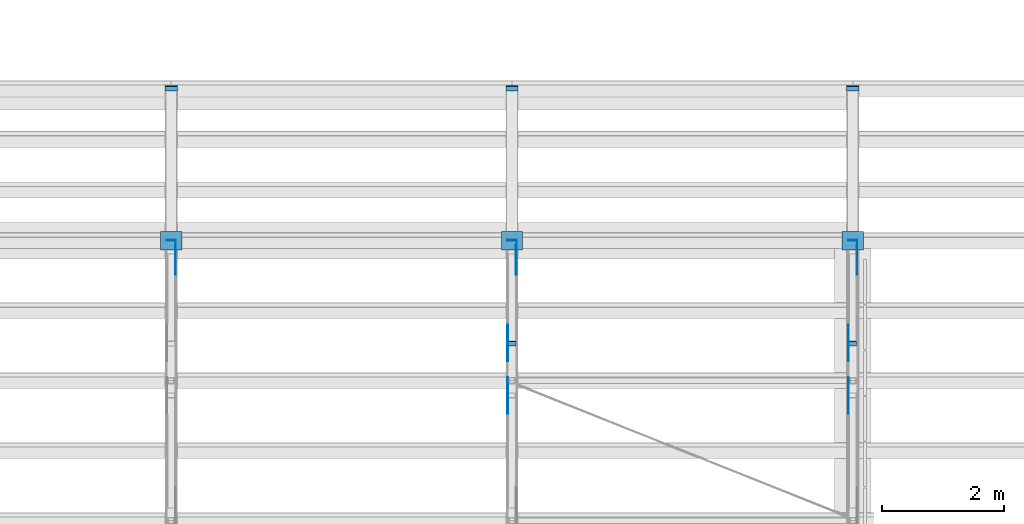
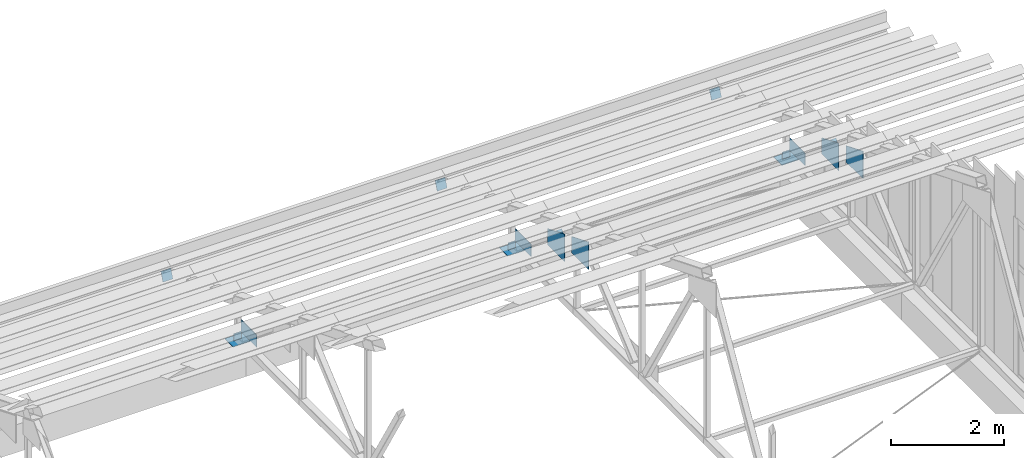
# One storey, part 63 of 71: 18 discrete accessories.
"""IFC4 building model written with IfcOpenShell, lengths in metres."""

from ifc_helpers import new_model, si_unit, direction, frame, origin, origin_2d, place, context, subcontext, project, spatial, polyline, rectangle, outline, extrude, element, save


model = new_model("IFC4")

# Units and contexts
model_context = context("Model", 3, precision=1e-05, world=origin(), true_north=direction((0.0, 1.0)))
body_context = subcontext(model_context, "Body", "Model", "MODEL_VIEW")
ifc_project = project(units=[si_unit("LENGTHUNIT", "METRE"), si_unit("AREAUNIT", "SQUARE_METRE"), si_unit("VOLUMEUNIT", "CUBIC_METRE"), si_unit("PLANEANGLEUNIT", "RADIAN"), si_unit("MASSUNIT", "GRAM", prefix="KILO")], contexts=[model_context])

# Site, building, storey
site_placement = place(None, origin())
site = spatial("IfcSite", under=ifc_project, at=site_placement, CompositionType="ELEMENT")
building_placement = place(site_placement, origin())
building = spatial("IfcBuilding", under=site, at=building_placement, Name="Wasatch Bagh Community Centre", CompositionType="ELEMENT")
storey_placement = place(building_placement, frame((0.0, 0.0, 12.60009765625)))
storey = spatial("IfcBuildingStorey", under=building, at=storey_placement, Name="L03", CompositionType="ELEMENT", Elevation=12.60009765625)

# Discrete accessories
discrete_accessory_1_placement = place(storey_placement, frame((134.60009765625, 68.300048828125, 0.490234375), z_axis=(0.0, 0.928476690885, -0.371390676354), x_axis=(-1.0, 0.0, 0.0)))
element("IfcDiscreteAccessory", 1, at=discrete_accessory_1_placement, inside=storey, Name="SH.SA5.TC14.EPB", PredefinedType="NOTDEFINED", context=body_context, shape_type="SweptSolid", body=[
    extrude(rectangle(XDim=0.203125, YDim=0.203125, at=origin_2d()), origin(), (0.0, 0.0, 1.0), 0.01171875),
])
discrete_accessory_2_placement = place(storey_placement, frame((134.60009765625, 65.800048828125, 0.68603515625), z_axis=(0.0, 1.0, 0.0), x_axis=(-1.0, 0.0, 0.0)))
element("IfcDiscreteAccessory", 2, at=discrete_accessory_2_placement, inside=storey, Name="SH.SA5.BC12.EPB", PredefinedType="NOTDEFINED", context=body_context, shape_type="SweptSolid", body=[
    extrude(rectangle(XDim=0.15234375, YDim=0.15234375, at=origin_2d()), origin(), (0.0, 0.0, 1.0), 0.011962890625),
])
discrete_accessory_3_placement = place(storey_placement, frame((140.199951171875, 68.300048828125, 0.490234375), z_axis=(0.0, 0.928476690885, -0.371390676354), x_axis=(-1.0, 0.0, 0.0)))
element("IfcDiscreteAccessory", 3, at=discrete_accessory_3_placement, inside=storey, Name="SH.SA6.TC14.EPB", PredefinedType="NOTDEFINED", context=body_context, shape_type="SweptSolid", body=[
    extrude(rectangle(XDim=0.203125, YDim=0.203125, at=origin_2d()), origin(), (0.0, 0.0, 1.0), 0.01171875),
])
discrete_accessory_4_placement = place(storey_placement, frame((140.199951171875, 65.800048828125, 0.68603515625), z_axis=(0.0, 1.0, 0.0), x_axis=(-1.0, 0.0, 0.0)))
element("IfcDiscreteAccessory", 4, at=discrete_accessory_4_placement, inside=storey, Name="SH.SA6.BC12.EPB", PredefinedType="NOTDEFINED", context=body_context, shape_type="SweptSolid", body=[
    extrude(rectangle(XDim=0.15234375, YDim=0.15234375, at=origin_2d()), origin(), (0.0, 0.0, 1.0), 0.011962890625),
])
discrete_accessory_5_placement = place(storey_placement, frame((140.199951171875, 64.114990234375, 1.971923828125), z_axis=(0.0, -0.774865020772, 0.632126727472), x_axis=(1.0, 0.0, 0.0)))
element("IfcDiscreteAccessory", 5, at=discrete_accessory_5_placement, inside=storey, Name="SH.SA6.WB12.EPB", PredefinedType="NOTDEFINED", context=body_context, shape_type="SweptSolid", body=[
    extrude(rectangle(XDim=0.126953125, YDim=0.126953125, at=origin_2d()), origin(), (0.0, 0.0, 1.0), 0.011962890625),
])
discrete_accessory_6_placement = place(storey_placement, frame((145.800048828125, 68.300048828125, 0.490234375), z_axis=(0.0, 0.928476690885, -0.371390676354), x_axis=(-1.0, 0.0, 0.0)))
element("IfcDiscreteAccessory", 6, at=discrete_accessory_6_placement, inside=storey, Name="SH.SA7.TC14.EPB", PredefinedType="NOTDEFINED", context=body_context, shape_type="SweptSolid", body=[
    extrude(rectangle(XDim=0.203125, YDim=0.203125, at=origin_2d()), origin(), (0.0, 0.0, 1.0), 0.01171875),
])
discrete_accessory_7_placement = place(storey_placement, frame((145.800048828125, 65.800048828125, 0.68603515625), z_axis=(0.0, 1.0, 0.0), x_axis=(-1.0, 0.0, 0.0)))
element("IfcDiscreteAccessory", 7, at=discrete_accessory_7_placement, inside=storey, Name="SH.SA7.BC12.EPB", PredefinedType="NOTDEFINED", context=body_context, shape_type="SweptSolid", body=[
    extrude(rectangle(XDim=0.15234375, YDim=0.15234375, at=origin_2d()), origin(), (0.0, 0.0, 1.0), 0.011962890625),
])
discrete_accessory_8_placement = place(storey_placement, frame((145.800048828125, 64.114990234375, 1.971923828125), z_axis=(0.0, -0.774865020772, 0.632126727472), x_axis=(1.0, 0.0, 0.0)))
element("IfcDiscreteAccessory", 8, at=discrete_accessory_8_placement, inside=storey, Name="SH.SA7.WB12.EPB", PredefinedType="NOTDEFINED", context=body_context, shape_type="SweptSolid", body=[
    extrude(rectangle(XDim=0.126953125, YDim=0.126953125, at=origin_2d()), origin(), (0.0, 0.0, 1.0), 0.011962890625),
])
for number, where, z_axis, x_axis, name in (
    (9, (134.676025390625, 65.241455078125, 0.7626953125), (1.0, 0.0, 0.0), (0.0, 1.0, 0.0), "Gusset plate"),
    (10, (140.27587890625, 65.241455078125, 0.7626953125), (1.0, 0.0, 0.0), (0.0, 1.0, 0.0), "Gusset plate"),
):
    element("IfcDiscreteAccessory", number, at=place(storey_placement, frame(where, z_axis=z_axis, x_axis=x_axis)), inside=storey, Name=name, PredefinedType="BRACKET", context=body_context, shape_type="SweptSolid", body=[
        extrude(outline(polyline([(0.0, 0.0), (0.55859375, 0.0), (0.55859375, 0.264892578125), (0.0, 0.264892578125), (0.0, 0.0)])), origin(), (0.0, 0.0, -1.0), 0.011962890625),
    ])
discrete_accessory_9_placement = place(storey_placement, frame((140.1240234375, 62.958740234375, 2.508056640625), z_axis=(-1.0, 0.0, 0.0), x_axis=(0.0, 0.925978809353, -0.377575482028)))
element("IfcDiscreteAccessory", 11, at=discrete_accessory_9_placement, inside=storey, Name="Gusset plate", PredefinedType="BRACKET", context=body_context, shape_type="SweptSolid", body=[
    extrude(outline(polyline([(0.0, 0.0), (0.5845271621312353, -2.7755575615628914e-17), (0.6477253398659776, -0.00019486601058962827), (0.7799136311813485, 0.3239881448811994), (0.22446198699646316, 0.5504781251893349), (0.0, 0.0)])), origin(), (0.0, 0.0, -1.0), 0.011962890625),
])
discrete_accessory_10_placement = place(storey_placement, frame((140.1240234375, 63.81494140625, 2.1591796875), z_axis=(-1.0, 0.0, 0.0), x_axis=(0.0, 0.926014333695, -0.377488349212)))
element("IfcDiscreteAccessory", 12, at=discrete_accessory_10_placement, inside=storey, Name="Gusset plate", PredefinedType="BRACKET", context=body_context, shape_type="SweptSolid", body=[
    extrude(outline(polyline([(0.0, 0.0), (0.6480435932943203, -2.7755575615628914e-17), (0.7801092193735699, 0.3239693701624707), (0.22441018806906693, 0.5504992437861941), (0.0, 0.0)])), origin(), (0.0, 0.0, -1.0), 0.011962890625),
])
discrete_accessory_11_placement = place(storey_placement, frame((145.8759765625, 65.241455078125, 0.7626953125), z_axis=(1.0, 0.0, 0.0), x_axis=(0.0, 1.0, 0.0)))
element("IfcDiscreteAccessory", 13, at=discrete_accessory_11_placement, inside=storey, Name="Gusset plate", PredefinedType="BRACKET", context=body_context, shape_type="SweptSolid", body=[
    extrude(outline(polyline([(0.0, 0.0), (0.55859375, 0.0), (0.55859375, 0.264892578125), (0.0, 0.264892578125), (0.0, 0.0)])), origin(), (0.0, 0.0, -1.0), 0.011962890625),
])
discrete_accessory_12_placement = place(storey_placement, frame((145.72412109375, 62.958740234375, 2.508056640625), z_axis=(-1.0, 0.0, 0.0), x_axis=(0.0, 0.925978809353, -0.377575482028)))
element("IfcDiscreteAccessory", 14, at=discrete_accessory_12_placement, inside=storey, Name="Gusset plate", PredefinedType="BRACKET", context=body_context, shape_type="SweptSolid", body=[
    extrude(outline(polyline([(0.0, 0.0), (0.5845271621312353, -2.7755575615628914e-17), (0.6477253398659776, -0.00019486601058962827), (0.7799136311813485, 0.3239881448811994), (0.22446198699646316, 0.5504781251893349), (0.0, 0.0)])), origin(), (0.0, 0.0, -1.0), 0.011962890625),
])
discrete_accessory_13_placement = place(storey_placement, frame((145.72412109375, 63.81494140625, 2.1591796875), z_axis=(-1.0, 0.0, 0.0), x_axis=(0.0, 0.926014333695, -0.377488349212)))
element("IfcDiscreteAccessory", 15, at=discrete_accessory_13_placement, inside=storey, Name="Gusset plate", PredefinedType="BRACKET", context=body_context, shape_type="SweptSolid", body=[
    extrude(outline(polyline([(0.0, 0.0), (0.6480435932943203, -2.7755575615628914e-17), (0.7801092193735699, 0.3239693701624707), (0.22441018806906693, 0.5504992437861941), (0.0, 0.0)])), origin(), (0.0, 0.0, -1.0), 0.011962890625),
])
for number, where, z_axis, x_axis, name in (
    (16, (134.60009765625, 65.800048828125, 0.60009765625), (0.0, 0.0, 1.0), (1.0, 0.0, 0.0), "Bearing plate"),
    (17, (140.199951171875, 65.800048828125, 0.60009765625), (0.0, 0.0, 1.0), (1.0, 0.0, 0.0), "Bearing plate"),
    (18, (145.800048828125, 65.800048828125, 0.60009765625), (0.0, 0.0, 1.0), (1.0, 0.0, 0.0), "Bearing plate"),
):
    element("IfcDiscreteAccessory", number, at=place(storey_placement, frame(where, z_axis=z_axis, x_axis=x_axis)), inside=storey, Name=name, PredefinedType="BRACKET", context=body_context, shape_type="SweptSolid", body=[
        extrude(rectangle(XDim=0.35009765625, YDim=0.300048828125, at=origin_2d()), origin(), (0.0, 0.0, 1.0), 0.010009765625),
    ])

save(model, "model.ifc")
